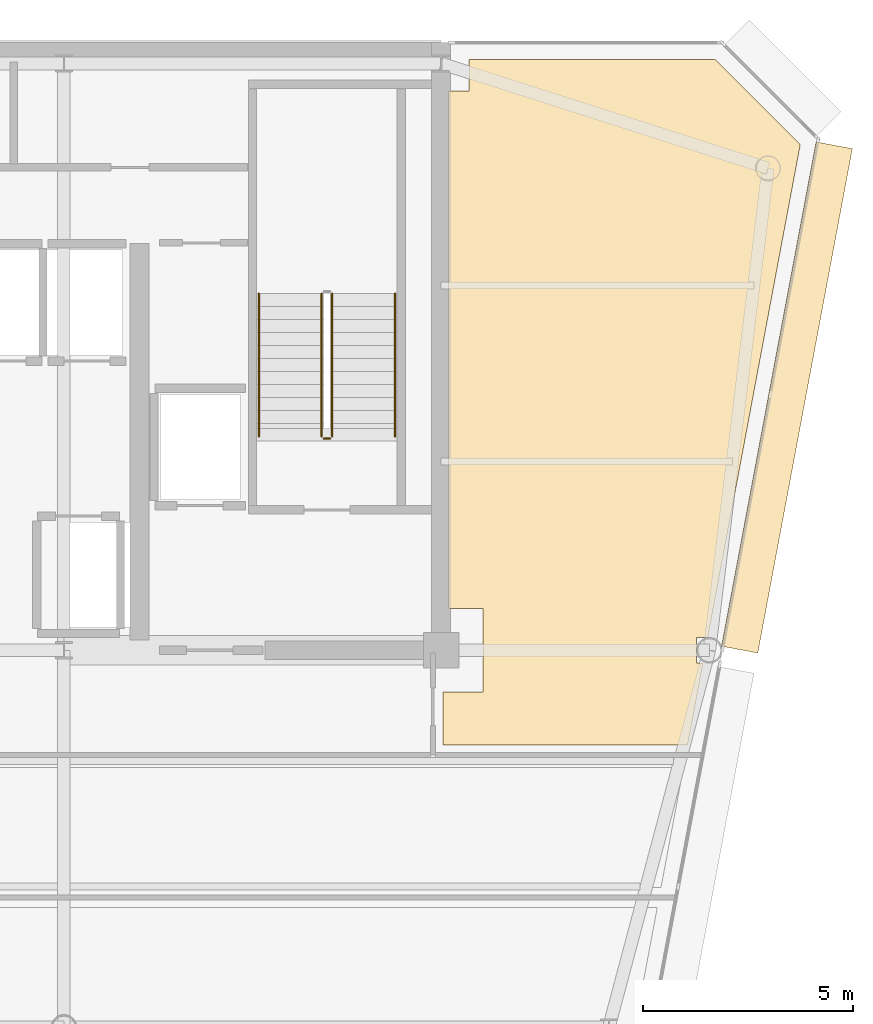
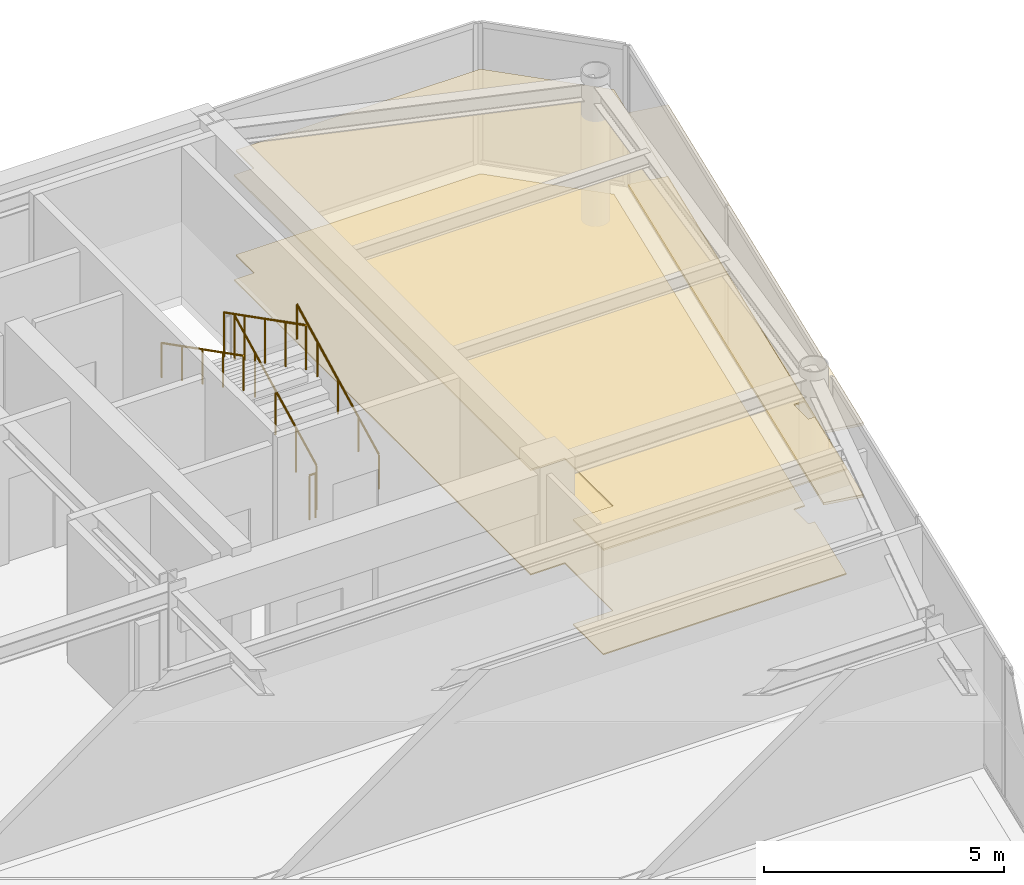
# One storey, part 17 of 20: 5 railings, 4 coverings.
"""IFC4 building model written with IfcOpenShell, lengths in metres."""

from ifc_helpers import new_model, si_unit, direction, frame, origin, origin_2d, place, context, subcontext, project, spatial, polyline, rectangle, circle, outline, extrude, source, transform, mapped, material, layer, layer_set, type_object, element, save


model = new_model("IFC4")

# Units and contexts
model_context = context("Model", 3, precision=1e-05, world=origin(), true_north=direction((0.0, 1.0)))
body_context = subcontext(model_context, "Body", "Model", "MODEL_VIEW")
ifc_project = project(units=[si_unit("LENGTHUNIT", "METRE"), si_unit("AREAUNIT", "SQUARE_METRE"), si_unit("VOLUMEUNIT", "CUBIC_METRE"), si_unit("PLANEANGLEUNIT", "RADIAN"), si_unit("MASSUNIT", "GRAM", prefix="KILO")], contexts=[model_context])

# Site, building, storey
site_placement = place(None, origin())
site = spatial("IfcSite", under=ifc_project, at=site_placement, CompositionType="ELEMENT")
building_placement = place(site_placement, origin())
building = spatial("IfcBuilding", under=site, at=building_placement, Name="Vaeldorn Concourse Tower", CompositionType="ELEMENT")
storey_placement = place(building_placement, frame((0.0, 0.0, 295.39990234375)))
storey = spatial("IfcBuildingStorey", under=building, at=storey_placement, Name="L76", CompositionType="ELEMENT", Elevation=295.39990234375)

# Coverings
ifc_material_1 = material(Name="Acoustic Mineral Fibre Board", Category="gypsum")
ifc_layer_1 = layer(ifc_material_1, 0.0400390625)
ifc_layer_set_1 = layer_set([ifc_layer_1], Name="Acoustic Mineral Fibre Board")
covering_type_1 = type_object("IfcCoveringType", Name="COV-CEIL-ACOUSTIC", PredefinedType="CEILING", material=ifc_layer_set_1)
covering_1_placement = place(storey_placement, frame((0.0, 0.0, 2.650146484375)))
element("IfcCovering", 1, at=covering_1_placement, inside=storey, type_object=covering_type_1, Name="Suspended Acoustic Ceiling L76-5", PredefinedType="CEILING", context=body_context, shape_type="SweptSolid", body=[
    extrude(outline(polyline([(54.179931640625, 49.840087890625), (54.659912109375, 49.840087890625), (54.659912109375, 50.60009765625), (60.5341796875, 50.60009765625), (62.568115234375, 48.56640625), (60.459716796875, 37.320068359375), (60.459716796875, 37.320068359375), (60.36328125, 36.804931640625), (60.094970703125, 36.804931640625), (60.094970703125, 36.195068359375), (60.248779296875, 36.195068359375), (59.88232421875, 34.239990234375), (54.0400390625, 34.239990234375), (54.0400390625, 35.5), (55.0, 35.5), (55.0, 37.5), (54.179931640625, 37.5), (54.179931640625, 49.840087890625)])), origin(), (0.0, 0.0, 1.0), 0.0400390625),
])
ifc_material_2 = material(Name="Honed Limestone Terrazzo Flooring", Category="masonry")
ifc_layer_2 = layer(ifc_material_2, 0.0400390625)
ifc_layer_set_2 = layer_set([ifc_layer_2], Name="Honed Limestone Terrazzo Flooring")
covering_type_2 = type_object("IfcCoveringType", Name="COV-FLOOR-STONE", PredefinedType="FLOORING", material=ifc_layer_set_2)
covering_2_placement = place(storey_placement, origin())
element("IfcCovering", 2, at=covering_2_placement, inside=storey, type_object=covering_type_2, Name="Floor Finish Covering L76-5", PredefinedType="FLOORING", context=body_context, shape_type="SweptSolid", body=[
    extrude(outline(polyline([(54.179931640625, 49.840087890625), (54.659912109375, 49.840087890625), (54.659912109375, 50.60009765625), (60.5341796875, 50.60009765625), (62.568115234375, 48.56640625), (60.459716796875, 37.320068359375), (60.459716796875, 37.320068359375), (60.36328125, 36.804931640625), (60.094970703125, 36.804931640625), (60.094970703125, 36.195068359375), (60.248779296875, 36.195068359375), (59.88232421875, 34.239990234375), (54.0400390625, 34.239990234375), (54.0400390625, 35.5), (55.0, 35.5), (55.0, 37.5), (54.179931640625, 37.5), (54.179931640625, 49.840087890625)])), origin(), (0.0, 0.0, 1.0), 0.030029296875),
])

# Railings
ifc_material_3 = material(Name="Anodised Bronze Aluminium", Category="aluminium")
railing_type_1 = type_object("IfcRailingType", Name="RL-STAIR-GUARD", PredefinedType="GUARDRAIL", material=ifc_material_3)
railing_1_placement = place(storey_placement, frame((51.39990234375, 41.60009765625, 0.158447265625)))
element("IfcRailing", 3, at=railing_1_placement, inside=storey, type_object=railing_type_1, Name="L76 ST-2 stair guard 1", PredefinedType="GUARDRAIL", context=body_context, shape_type="SweptSolid", body=[
    extrude(circle(Radius=0.02392578125, at=origin_2d()), frame((0.0, 0.0, 1.1259765625), z_axis=(0.0, 0.890555807335, 0.454873997962), x_axis=(-1.0, 0.0, 0.0)), (0.0, 0.0, 1.0), 3.828857421875),
    extrude(circle(Radius=0.02099609375, at=origin_2d()), origin(), (0.0, 0.0, 1.0), 1.101806640625),
    extrude(circle(Radius=0.02099609375, at=origin_2d()), frame((0.0, 0.8525390625, 0.435546875)), (0.0, 0.0, 1.0), 1.101806640625),
    extrude(circle(Radius=0.02099609375, at=origin_2d()), frame((0.0, 1.705078125, 0.870849609375)), (0.0, 0.0, 1.0), 1.101806640625),
    extrude(circle(Radius=0.02099609375, at=origin_2d()), frame((0.0, 2.557373046875, 1.30615234375)), (0.0, 0.0, 1.0), 1.101806640625),
    extrude(circle(Radius=0.02099609375, at=origin_2d()), frame((0.0, 3.409912109375, 1.74169921875)), (0.0, 0.0, 1.0), 1.101806640625),
])
railing_2_placement = place(storey_placement, frame((51.14990234375, 45.010009765625, 2.058349609375)))
element("IfcRailing", 4, at=railing_2_placement, inside=storey, type_object=railing_type_1, Name="L76 ST-2 stair guard 3", PredefinedType="GUARDRAIL", context=body_context, shape_type="SweptSolid", body=[
    extrude(circle(Radius=0.02392578125, at=origin_2d()), frame((0.0, 0.0, 1.1259765625), z_axis=(0.0, -0.890555807335, 0.454873997962), x_axis=(1.0, 0.0, 0.0)), (0.0, 0.0, 1.0), 3.828857421875),
    extrude(circle(Radius=0.02099609375, at=origin_2d()), origin(), (0.0, 0.0, 1.0), 1.101806640625),
    extrude(circle(Radius=0.02099609375, at=origin_2d()), frame((0.0, -0.8525390625, 0.435546875)), (0.0, 0.0, 1.0), 1.101806640625),
    extrude(circle(Radius=0.02099609375, at=origin_2d()), frame((0.0, -1.705078125, 0.870849609375)), (0.0, 0.0, 1.0), 1.101806640625),
    extrude(circle(Radius=0.02099609375, at=origin_2d()), frame((0.0, -2.557373046875, 1.30615234375)), (0.0, 0.0, 1.0), 1.101806640625),
    extrude(circle(Radius=0.02099609375, at=origin_2d()), frame((0.0, -3.409912109375, 1.74169921875)), (0.0, 0.0, 1.0), 1.101806640625),
])
railing_3_placement = place(storey_placement, frame((51.35009765625, 41.550048828125, 0.0)))
element("IfcRailing", 5, at=railing_3_placement, inside=storey, type_object=railing_type_1, Name="L76 ST-2 stair guard 4", PredefinedType="GUARDRAIL", context=body_context, shape_type="SweptSolid", body=[
    extrude(circle(Radius=0.02392578125, at=origin_2d()), frame((0.0, 0.0, 1.1259765625), z_axis=(-1.0, 0.0, 0.0), x_axis=(0.0, -1.0, 0.0)), (0.0, 0.0, 1.0), 0.150146484375),
    extrude(circle(Radius=0.02099609375, at=origin_2d()), origin(), (0.0, 0.0, 1.0), 1.101806640625),
    extrude(circle(Radius=0.02099609375, at=origin_2d()), frame((-0.150146484375, 0.0, 0.0)), (0.0, 0.0, 1.0), 1.101806640625),
])
railing_type_2 = type_object("IfcRailingType", Name="RL-STAIR-HANDRAIL", PredefinedType="HANDRAIL", material=ifc_material_3)
railing_4_placement = place(storey_placement, frame((52.89990234375, 41.60009765625, 0.158447265625)))
element("IfcRailing", 6, at=railing_4_placement, inside=storey, type_object=railing_type_2, Name="L76 ST-2 stair handrail 1", PredefinedType="HANDRAIL", context=body_context, shape_type="SweptSolid", body=[
    extrude(circle(Radius=0.02392578125, at=origin_2d()), frame((0.0, 0.0, 0.8759765625), z_axis=(0.0, 0.890555807335, 0.454873997962), x_axis=(-1.0, 0.0, 0.0)), (0.0, 0.0, 1.0), 3.828857421875),
    extrude(circle(Radius=0.02099609375, at=origin_2d()), origin(), (0.0, 0.0, 1.0), 0.851806640625),
    extrude(circle(Radius=0.02099609375, at=origin_2d()), frame((0.0, 0.8525390625, 0.435546875)), (0.0, 0.0, 1.0), 0.851806640625),
    extrude(circle(Radius=0.02099609375, at=origin_2d()), frame((0.0, 1.705078125, 0.870849609375)), (0.0, 0.0, 1.0), 0.851806640625),
    extrude(circle(Radius=0.02099609375, at=origin_2d()), frame((0.0, 2.557373046875, 1.30615234375)), (0.0, 0.0, 1.0), 0.851806640625),
    extrude(circle(Radius=0.02099609375, at=origin_2d()), frame((0.0, 3.409912109375, 1.74169921875)), (0.0, 0.0, 1.0), 0.851806640625),
])
railing_5_placement = place(storey_placement, frame((49.64990234375, 45.010009765625, 2.058349609375)))
element("IfcRailing", 7, at=railing_5_placement, inside=storey, type_object=railing_type_2, Name="L76 ST-2 stair handrail 2", PredefinedType="HANDRAIL", context=body_context, shape_type="SweptSolid", body=[
    extrude(circle(Radius=0.02392578125, at=origin_2d()), frame((0.0, 0.0, 0.8759765625), z_axis=(0.0, -0.890555807335, 0.454873997962), x_axis=(1.0, 0.0, 0.0)), (0.0, 0.0, 1.0), 3.828857421875),
    extrude(circle(Radius=0.02099609375, at=origin_2d()), origin(), (0.0, 0.0, 1.0), 0.851806640625),
    extrude(circle(Radius=0.02099609375, at=origin_2d()), frame((0.0, -0.8525390625, 0.435546875)), (0.0, 0.0, 1.0), 0.851806640625),
    extrude(circle(Radius=0.02099609375, at=origin_2d()), frame((0.0, -1.705078125, 0.870849609375)), (0.0, 0.0, 1.0), 0.851806640625),
    extrude(circle(Radius=0.02099609375, at=origin_2d()), frame((0.0, -2.557373046875, 1.30615234375)), (0.0, 0.0, 1.0), 0.851806640625),
    extrude(circle(Radius=0.02099609375, at=origin_2d()), frame((0.0, -3.409912109375, 1.74169921875)), (0.0, 0.0, 1.0), 0.851806640625),
])

# Coverings
ifc_layer_3 = layer(ifc_material_3, 0.06494140625)
ifc_layer_set_3 = layer_set([ifc_layer_3], Name="Anodised Bronze Aluminium")
covering_type_3 = type_object("IfcCoveringType", Name="SD-BRONZE-SUNSHADE", PredefinedType="USERDEFINED", material=ifc_layer_set_3)
shared_shape = source(origin(), body_context, "Body", "SweptSolid", [
    extrude(rectangle(XDim=12.241943359375, YDim=0.8798828125, at=origin_2d()), origin(), (0.0, 0.0, 1.0), 0.06494140625),
])
for number, where, z_axis, x_axis, name in (
    (8, (62.250732421875, 42.531494140625, 0.047607421875), (0.0, 0.0, 1.0), (0.1842429853, 0.98288072642, 0.0), "Horizontal Bronze Sunshade L76-E07.2.1"),
    (9, (62.250732421875, 42.531494140625, 1.86767578125), (0.0, 0.0, 1.0), (0.1842429853, 0.98288072642, 0.0), "Horizontal Bronze Sunshade L76-E07.2.2"),
):
    element("IfcCovering", number, at=place(storey_placement, frame(where, z_axis=z_axis, x_axis=x_axis)), inside=storey, type_object=covering_type_3, Name=name, ObjectType="SUNSHADE", PredefinedType="USERDEFINED", context=body_context, shape_type="MappedRepresentation", body=[
        mapped(shared_shape, transform((0.0, 0.0, 0.0), scale=1.0)),
    ])

save(model, "model.ifc")
